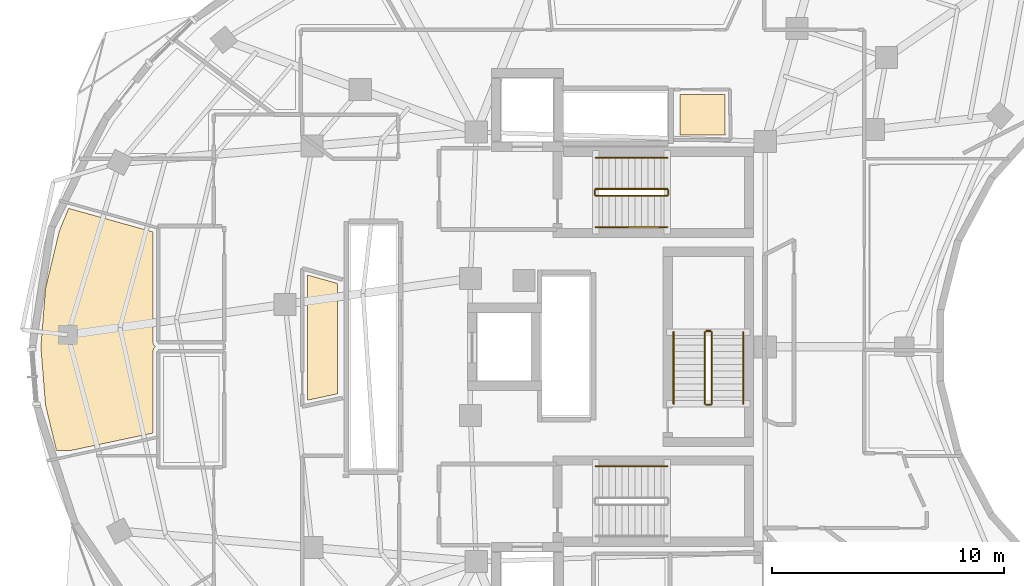
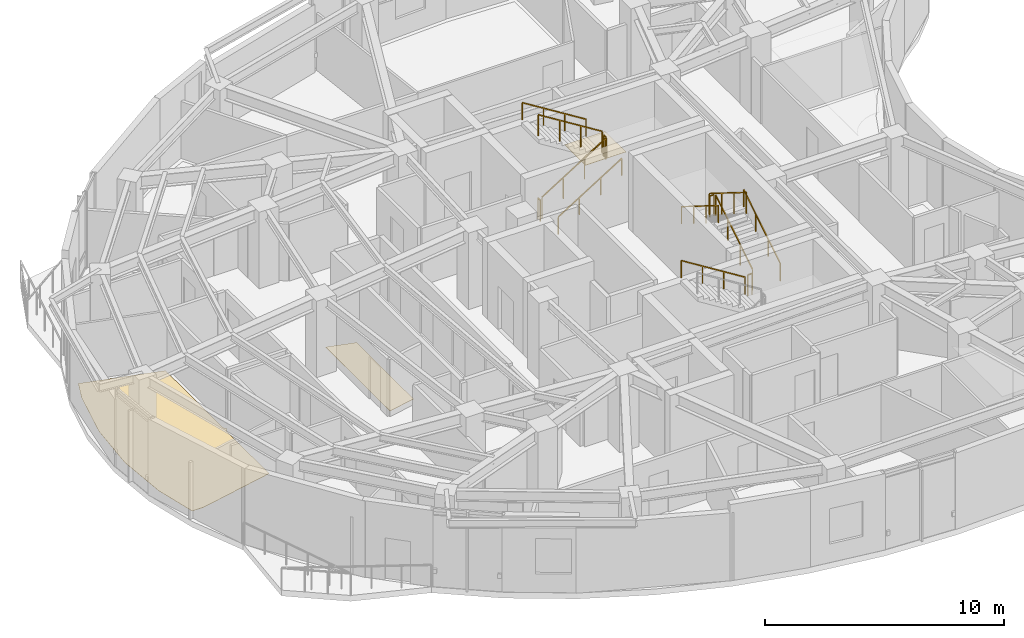
# One storey, part 13 of 14: 13 railings, 3 coverings.
"""IFC4 building model written with IfcOpenShell, lengths in metres."""

from ifc_helpers import new_model, si_unit, direction, frame, origin, origin_2d, place, context, subcontext, project, spatial, polyline, rectangle, outline, extrude, material, layer, layer_set, type_object, element, save


model = new_model("IFC4")

# Units and contexts
model_context = context("Model", 3, precision=1e-05, world=origin(), true_north=direction((0.0, 1.0)))
body_context = subcontext(model_context, "Body", "Model", "MODEL_VIEW")
ifc_project = project(units=[si_unit("LENGTHUNIT", "METRE"), si_unit("AREAUNIT", "SQUARE_METRE"), si_unit("VOLUMEUNIT", "CUBIC_METRE"), si_unit("PLANEANGLEUNIT", "RADIAN"), si_unit("MASSUNIT", "GRAM", prefix="KILO")], contexts=[model_context])

# Site, building, storey
site_placement = place(None, origin())
site = spatial("IfcSite", under=ifc_project, at=site_placement, CompositionType="ELEMENT")
building_placement = place(site_placement, origin())
building = spatial("IfcBuilding", under=site, at=building_placement, Name="Korentha Bioscience Tower", CompositionType="ELEMENT")
storey_placement = place(building_placement, frame((0.0, 0.0, 252.0)))
storey = spatial("IfcBuildingStorey", under=building, at=storey_placement, Name="L58", CompositionType="ELEMENT", Elevation=252.0)

# Covering
ifc_material_1 = material(Name="Vitrified Porcelain Tile", Category="ceramic")
ifc_layer_1 = layer(ifc_material_1, 0.014892578125, Name="Vitrified Porcelain Tile")
ifc_layer_set_1 = layer_set([ifc_layer_1], Name="Vitrified Porcelain Tile (FL-CER)")
covering_type_1 = type_object("IfcCoveringType", Name="Anti-Slip Ceramic Wet-Room Tile Flooring 15", PredefinedType="FLOORING", material=ifc_layer_set_1)
covering_1_placement = place(storey_placement, origin())
element("IfcCovering", 1, at=covering_1_placement, inside=storey, type_object=covering_type_1, Name="L58 Accessible Staff WC Floor Finish", PredefinedType="FLOORING", context=body_context, shape_type="SweptSolid", body=[
    extrude(outline(polyline([(33.8701171875, 36.1298828125), (33.8701171875, 37.8701171875), (35.820068359375, 37.8701171875), (35.827880859375, 36.1298828125), (33.8701171875, 36.1298828125)])), origin(), (0.0, 0.0, 1.0), 0.014892578125),
])

# Railings
ifc_material_2 = material(Name="Stainless Steel 304", Category="steel")
railing_type_1 = type_object("IfcRailingType", Name="Brushed Stainless Stair Handrail 900", PredefinedType="HANDRAIL", material=ifc_material_2)
railing_1_placement = place(storey_placement, frame((30.25, 32.14990234375, 0.175048828125)))
element("IfcRailing", 2, at=railing_1_placement, inside=storey, type_object=railing_type_1, Name="L58 ST-1 stair handrail 1", PredefinedType="HANDRAIL", context=body_context, shape_type="SweptSolid", body=[
    extrude(rectangle(XDim=0.048095703125, YDim=0.048095703125, at=origin_2d()), frame((0.0, 0.0, 0.8759765625), z_axis=(0.847998304005, 0.0, 0.529998940003), x_axis=(0.0, 1.0, 0.0)), (0.0, 0.0, 1.0), 3.632080078125),
    extrude(rectangle(XDim=0.0419921875, YDim=0.0419921875, at=origin_2d()), origin(), (0.0, 0.0, 1.0), 0.851806640625),
    extrude(rectangle(XDim=0.0419921875, YDim=0.0419921875, at=origin_2d()), frame((1.026611328125, 0.0, 0.6416015625)), (0.0, 0.0, 1.0), 0.851806640625),
    extrude(rectangle(XDim=0.0419921875, YDim=0.0419921875, at=origin_2d()), frame((2.053466796875, 0.0, 1.283447265625)), (0.0, 0.0, 1.0), 0.851806640625),
    extrude(rectangle(XDim=0.0419921875, YDim=0.0419921875, at=origin_2d()), frame((3.080078125, 0.0, 1.925048828125)), (0.0, 0.0, 1.0), 0.851806640625),
])
for number, where, name in (
    (3, (33.330078125, 35.14990234375, 2.27490234375), "L58 ST-1 stair handrail 2"),
    (4, (33.330078125, 21.85009765625, 2.27490234375), "L58 ST-2 stair handrail 2"),
):
    element("IfcRailing", number, at=place(storey_placement, frame(where)), inside=storey, type_object=railing_type_1, Name=name, PredefinedType="HANDRAIL", context=body_context, shape_type="SweptSolid", body=[
        extrude(rectangle(XDim=0.048095703125, YDim=0.048095703125, at=origin_2d()), frame((0.0, 0.0, 0.8759765625), z_axis=(-0.847998304005, 0.0, 0.529998940003), x_axis=(0.0, -1.0, 0.0)), (0.0, 0.0, 1.0), 3.632080078125),
        extrude(rectangle(XDim=0.0419921875, YDim=0.0419921875, at=origin_2d()), origin(), (0.0, 0.0, 1.0), 0.851806640625),
        extrude(rectangle(XDim=0.0419921875, YDim=0.0419921875, at=origin_2d()), frame((-1.026611328125, 0.0, 0.6416015625)), (0.0, 0.0, 1.0), 0.851806640625),
        extrude(rectangle(XDim=0.0419921875, YDim=0.0419921875, at=origin_2d()), frame((-2.053466796875, 0.0, 1.283447265625)), (0.0, 0.0, 1.0), 0.851806640625),
        extrude(rectangle(XDim=0.0419921875, YDim=0.0419921875, at=origin_2d()), frame((-3.080078125, 0.0, 1.925048828125)), (0.0, 0.0, 1.0), 0.851806640625),
    ])
railing_2_placement = place(storey_placement, frame((36.60009765625, 24.550048828125, 0.175048828125)))
element("IfcRailing", 5, at=railing_2_placement, inside=storey, type_object=railing_type_1, Name="L58 ST-3 stair handrail 1", PredefinedType="HANDRAIL", context=body_context, shape_type="SweptSolid", body=[
    extrude(rectangle(XDim=0.048095703125, YDim=0.048095703125, at=origin_2d()), frame((0.0, 0.0, 0.8759765625), z_axis=(0.0, 0.847979421464, 0.530029150871), x_axis=(-1.0, 0.0, 0.0)), (0.0, 0.0, 1.0), 3.632080078125),
    extrude(rectangle(XDim=0.0419921875, YDim=0.0419921875, at=origin_2d()), origin(), (0.0, 0.0, 1.0), 0.851806640625),
    extrude(rectangle(XDim=0.0419921875, YDim=0.0419921875, at=origin_2d()), frame((0.0, 1.026611328125, 0.6416015625)), (0.0, 0.0, 1.0), 0.851806640625),
    extrude(rectangle(XDim=0.0419921875, YDim=0.0419921875, at=origin_2d()), frame((0.0, 2.05322265625, 1.283447265625)), (0.0, 0.0, 1.0), 0.851806640625),
    extrude(rectangle(XDim=0.0419921875, YDim=0.0419921875, at=origin_2d()), frame((0.0, 3.079833984375, 1.925048828125)), (0.0, 0.0, 1.0), 0.851806640625),
])
railing_3_placement = place(storey_placement, frame((33.60009765625, 27.6298828125, 2.27490234375)))
element("IfcRailing", 6, at=railing_3_placement, inside=storey, type_object=railing_type_1, Name="L58 ST-3 stair handrail 2", PredefinedType="HANDRAIL", context=body_context, shape_type="SweptSolid", body=[
    extrude(rectangle(XDim=0.048095703125, YDim=0.048095703125, at=origin_2d()), frame((0.0, 0.0, 0.8759765625), z_axis=(0.0, -0.847979421464, 0.530029150871), x_axis=(1.0, 0.0, 0.0)), (0.0, 0.0, 1.0), 3.632080078125),
    extrude(rectangle(XDim=0.0419921875, YDim=0.0419921875, at=origin_2d()), origin(), (0.0, 0.0, 1.0), 0.851806640625),
    extrude(rectangle(XDim=0.0419921875, YDim=0.0419921875, at=origin_2d()), frame((0.0, -1.026611328125, 0.6416015625)), (0.0, 0.0, 1.0), 0.851806640625),
    extrude(rectangle(XDim=0.0419921875, YDim=0.0419921875, at=origin_2d()), frame((0.0, -2.05322265625, 1.283447265625)), (0.0, 0.0, 1.0), 0.851806640625),
    extrude(rectangle(XDim=0.0419921875, YDim=0.0419921875, at=origin_2d()), frame((0.0, -3.079833984375, 1.925048828125)), (0.0, 0.0, 1.0), 0.851806640625),
])
ifc_material_3 = material(Name="Painted Steel S275", Category="steel")
railing_type_2 = type_object("IfcRailingType", Name="Painted Steel Stair Well Guardrail 1100", PredefinedType="GUARDRAIL", material=ifc_material_3)
railing_4_placement = place(storey_placement, frame((30.25, 33.5, 0.175048828125)))
element("IfcRailing", 7, at=railing_4_placement, inside=storey, type_object=railing_type_2, Name="L58 ST-1 stair guard 1", PredefinedType="GUARDRAIL", context=body_context, shape_type="SweptSolid", body=[
    extrude(rectangle(XDim=0.048095703125, YDim=0.048095703125, at=origin_2d()), frame((0.0, 0.0, 1.076171875), z_axis=(0.847998304005, 0.0, 0.529998940003), x_axis=(0.0, 1.0, 0.0)), (0.0, 0.0, 1.0), 3.632080078125),
    extrude(rectangle(XDim=0.0419921875, YDim=0.0419921875, at=origin_2d()), origin(), (0.0, 0.0, 1.0), 1.052001953125),
    extrude(rectangle(XDim=0.0419921875, YDim=0.0419921875, at=origin_2d()), frame((1.026611328125, 0.0, 0.6416015625)), (0.0, 0.0, 1.0), 1.052001953125),
    extrude(rectangle(XDim=0.0419921875, YDim=0.0419921875, at=origin_2d()), frame((2.053466796875, 0.0, 1.283447265625)), (0.0, 0.0, 1.0), 1.052001953125),
    extrude(rectangle(XDim=0.0419921875, YDim=0.0419921875, at=origin_2d()), frame((3.080078125, 0.0, 1.925048828125)), (0.0, 0.0, 1.0), 1.052001953125),
])
railing_5_placement = place(storey_placement, frame((33.3798828125, 33.550048828125, 2.10009765625)))
element("IfcRailing", 8, at=railing_5_placement, inside=storey, type_object=railing_type_2, Name="L58 ST-1 stair guard 2", PredefinedType="GUARDRAIL", context=body_context, shape_type="SweptSolid", body=[
    extrude(rectangle(XDim=0.048095703125, YDim=0.048095703125, at=origin_2d()), frame((0.0, 0.0, 1.076171875), z_axis=(0.0, 1.0, 0.0), x_axis=(-1.0, 0.0, 0.0)), (0.0, 0.0, 1.0), 0.199951171875),
    extrude(rectangle(XDim=0.0419921875, YDim=0.0419921875, at=origin_2d()), origin(), (0.0, 0.0, 1.0), 1.052001953125),
    extrude(rectangle(XDim=0.0419921875, YDim=0.0419921875, at=origin_2d()), frame((0.0, 0.199951171875, 0.0)), (0.0, 0.0, 1.0), 1.052001953125),
])
railing_6_placement = place(storey_placement, frame((33.330078125, 33.800048828125, 2.27490234375)))
element("IfcRailing", 9, at=railing_6_placement, inside=storey, type_object=railing_type_2, Name="L58 ST-1 stair guard 3", PredefinedType="GUARDRAIL", context=body_context, shape_type="SweptSolid", body=[
    extrude(rectangle(XDim=0.048095703125, YDim=0.048095703125, at=origin_2d()), frame((0.0, 0.0, 1.076171875), z_axis=(-0.847998304005, 0.0, 0.529998940003), x_axis=(0.0, -1.0, 0.0)), (0.0, 0.0, 1.0), 3.632080078125),
    extrude(rectangle(XDim=0.0419921875, YDim=0.0419921875, at=origin_2d()), origin(), (0.0, 0.0, 1.0), 1.052001953125),
    extrude(rectangle(XDim=0.0419921875, YDim=0.0419921875, at=origin_2d()), frame((-1.026611328125, 0.0, 0.6416015625)), (0.0, 0.0, 1.0), 1.052001953125),
    extrude(rectangle(XDim=0.0419921875, YDim=0.0419921875, at=origin_2d()), frame((-2.053466796875, 0.0, 1.283447265625)), (0.0, 0.0, 1.0), 1.052001953125),
    extrude(rectangle(XDim=0.0419921875, YDim=0.0419921875, at=origin_2d()), frame((-3.080078125, 0.0, 1.925048828125)), (0.0, 0.0, 1.0), 1.052001953125),
])
railing_7_placement = place(storey_placement, frame((30.199951171875, 33.550048828125, 0.0)))
element("IfcRailing", 10, at=railing_7_placement, inside=storey, type_object=railing_type_2, Name="L58 ST-1 stair guard 4", PredefinedType="GUARDRAIL", context=body_context, shape_type="SweptSolid", body=[
    extrude(rectangle(XDim=0.048095703125, YDim=0.048095703125, at=origin_2d()), frame((0.0, 0.0, 1.076171875), z_axis=(0.0, 1.0, 0.0), x_axis=(-1.0, 0.0, 0.0)), (0.0, 0.0, 1.0), 0.199951171875),
    extrude(rectangle(XDim=0.0419921875, YDim=0.0419921875, at=origin_2d()), origin(), (0.0, 0.0, 1.0), 1.052001953125),
    extrude(rectangle(XDim=0.0419921875, YDim=0.0419921875, at=origin_2d()), frame((0.0, 0.199951171875, 0.0)), (0.0, 0.0, 1.0), 1.052001953125),
])
railing_8_placement = place(storey_placement, frame((35.25, 24.550048828125, 0.175048828125)))
element("IfcRailing", 11, at=railing_8_placement, inside=storey, type_object=railing_type_2, Name="L58 ST-3 stair guard 1", PredefinedType="GUARDRAIL", context=body_context, shape_type="SweptSolid", body=[
    extrude(rectangle(XDim=0.048095703125, YDim=0.048095703125, at=origin_2d()), frame((0.0, 0.0, 1.076171875), z_axis=(0.0, 0.847979421464, 0.530029150871), x_axis=(-1.0, 0.0, 0.0)), (0.0, 0.0, 1.0), 3.632080078125),
    extrude(rectangle(XDim=0.0419921875, YDim=0.0419921875, at=origin_2d()), origin(), (0.0, 0.0, 1.0), 1.052001953125),
    extrude(rectangle(XDim=0.0419921875, YDim=0.0419921875, at=origin_2d()), frame((0.0, 1.026611328125, 0.6416015625)), (0.0, 0.0, 1.0), 1.052001953125),
    extrude(rectangle(XDim=0.0419921875, YDim=0.0419921875, at=origin_2d()), frame((0.0, 2.05322265625, 1.283447265625)), (0.0, 0.0, 1.0), 1.052001953125),
    extrude(rectangle(XDim=0.0419921875, YDim=0.0419921875, at=origin_2d()), frame((0.0, 3.079833984375, 1.925048828125)), (0.0, 0.0, 1.0), 1.052001953125),
])
railing_9_placement = place(storey_placement, frame((35.199951171875, 27.679931640625, 2.10009765625)))
element("IfcRailing", 12, at=railing_9_placement, inside=storey, type_object=railing_type_2, Name="L58 ST-3 stair guard 2", PredefinedType="GUARDRAIL", context=body_context, shape_type="SweptSolid", body=[
    extrude(rectangle(XDim=0.048095703125, YDim=0.048095703125, at=origin_2d()), frame((0.0, 0.0, 1.076171875), z_axis=(-1.0, 0.0, 0.0), x_axis=(0.0, -1.0, 0.0)), (0.0, 0.0, 1.0), 0.199951171875),
    extrude(rectangle(XDim=0.0419921875, YDim=0.0419921875, at=origin_2d()), origin(), (0.0, 0.0, 1.0), 1.052001953125),
    extrude(rectangle(XDim=0.0419921875, YDim=0.0419921875, at=origin_2d()), frame((-0.199951171875, 0.0, 0.0)), (0.0, 0.0, 1.0), 1.052001953125),
])
railing_10_placement = place(storey_placement, frame((34.949951171875, 27.6298828125, 2.27490234375)))
element("IfcRailing", 13, at=railing_10_placement, inside=storey, type_object=railing_type_2, Name="L58 ST-3 stair guard 3", PredefinedType="GUARDRAIL", context=body_context, shape_type="SweptSolid", body=[
    extrude(rectangle(XDim=0.048095703125, YDim=0.048095703125, at=origin_2d()), frame((0.0, 0.0, 1.076171875), z_axis=(0.0, -0.847979421464, 0.530029150871), x_axis=(1.0, 0.0, 0.0)), (0.0, 0.0, 1.0), 3.632080078125),
    extrude(rectangle(XDim=0.0419921875, YDim=0.0419921875, at=origin_2d()), origin(), (0.0, 0.0, 1.0), 1.052001953125),
    extrude(rectangle(XDim=0.0419921875, YDim=0.0419921875, at=origin_2d()), frame((0.0, -1.026611328125, 0.6416015625)), (0.0, 0.0, 1.0), 1.052001953125),
    extrude(rectangle(XDim=0.0419921875, YDim=0.0419921875, at=origin_2d()), frame((0.0, -2.05322265625, 1.283447265625)), (0.0, 0.0, 1.0), 1.052001953125),
    extrude(rectangle(XDim=0.0419921875, YDim=0.0419921875, at=origin_2d()), frame((0.0, -3.079833984375, 1.925048828125)), (0.0, 0.0, 1.0), 1.052001953125),
])
railing_11_placement = place(storey_placement, frame((35.199951171875, 24.5, 0.0)))
element("IfcRailing", 14, at=railing_11_placement, inside=storey, type_object=railing_type_2, Name="L58 ST-3 stair guard 4", PredefinedType="GUARDRAIL", context=body_context, shape_type="SweptSolid", body=[
    extrude(rectangle(XDim=0.048095703125, YDim=0.048095703125, at=origin_2d()), frame((0.0, 0.0, 1.076171875), z_axis=(-1.0, 0.0, 0.0), x_axis=(0.0, -1.0, 0.0)), (0.0, 0.0, 1.0), 0.199951171875),
    extrude(rectangle(XDim=0.0419921875, YDim=0.0419921875, at=origin_2d()), origin(), (0.0, 0.0, 1.0), 1.052001953125),
    extrude(rectangle(XDim=0.0419921875, YDim=0.0419921875, at=origin_2d()), frame((-0.199951171875, 0.0, 0.0)), (0.0, 0.0, 1.0), 1.052001953125),
])

# Coverings
ifc_material_4 = material(Name="Chemical-Resistant Epoxy Resin", Category="polymer")
ifc_layer_2 = layer(ifc_material_4, 0.011962890625, Name="Chemical-Resistant Epoxy Resin")
ifc_layer_set_2 = layer_set([ifc_layer_2], Name="Chemical-Resistant Epoxy Resin (FL-EPX)")
covering_type_2 = type_object("IfcCoveringType", Name="Seamless Epoxy Laboratory Flooring 12", PredefinedType="FLOORING", material=ifc_layer_set_2)
covering_2_placement = place(storey_placement, origin())
element("IfcCovering", 15, at=covering_2_placement, inside=storey, type_object=covering_type_2, Name="L58 Principal Investigator Office 01 Floor Finish", PredefinedType="FLOORING", context=body_context, shape_type="SweptSolid", body=[
    extrude(outline(polyline([(6.543701171875, 24.489990234375), (6.344482421875, 27.0), (6.543701171875, 29.509765625), (7.138671875, 31.98583984375), (7.538330078125, 32.964111328125), (11.169921875, 31.9501953125), (11.169921875, 27.199951171875), (11.202392578125, 27.082275390625), (11.286865234375, 27.0), (11.202880859375, 26.918701171875), (11.17041015625, 26.810791015625), (11.169921875, 23.282958984375), (7.590087890625, 22.52197265625), (7.0166015625, 22.52197265625), (6.543701171875, 24.489990234375)])), origin(), (0.0, 0.0, 1.0), 0.011962890625),
])
covering_3_placement = place(storey_placement, origin())
element("IfcCovering", 16, at=covering_3_placement, inside=storey, type_object=covering_type_2, Name="L58 Cold-Chain Stability Chamber 23 Floor Finish", PredefinedType="FLOORING", context=body_context, shape_type="SweptSolid", body=[
    extrude(outline(polyline([(17.830078125, 24.698486328125), (17.830078125, 30.0908203125), (19.1201171875, 29.73046875), (19.1201171875, 24.972900390625), (17.830078125, 24.698486328125)])), origin(), (0.0, 0.0, 1.0), 0.011962890625),
])

save(model, "model.ifc")
